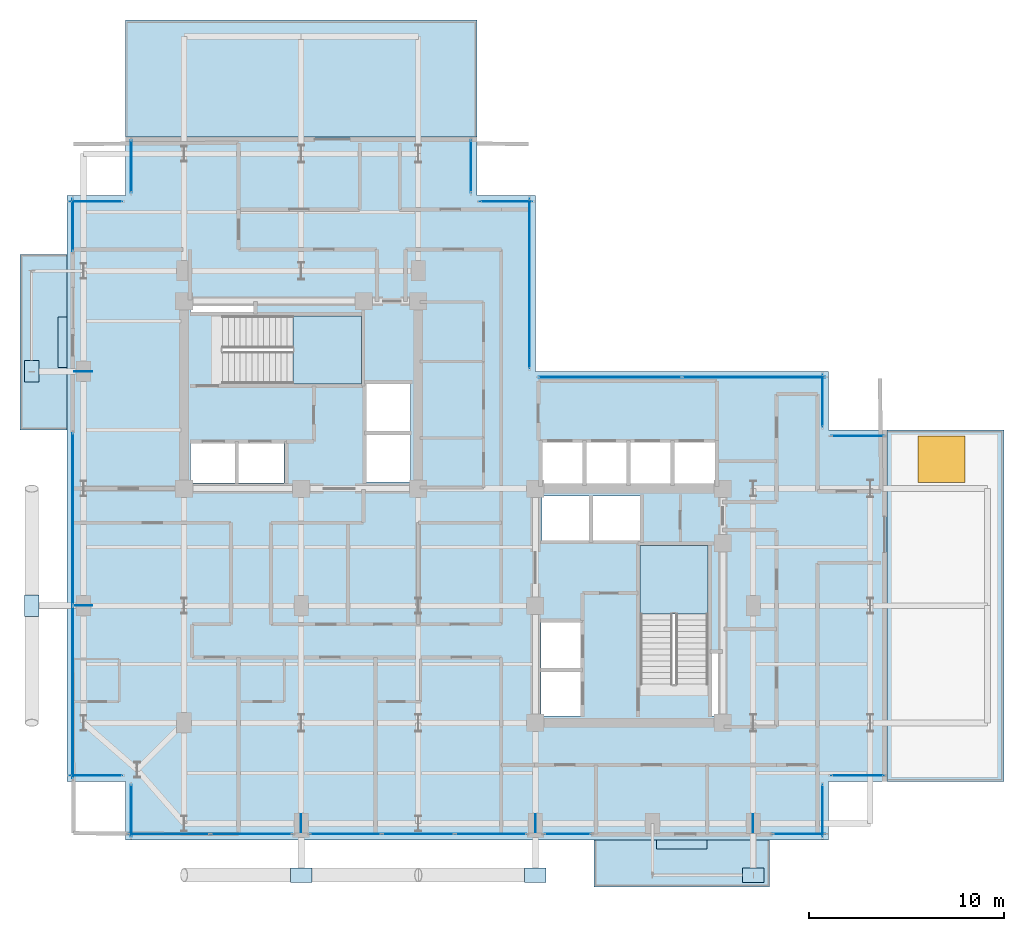
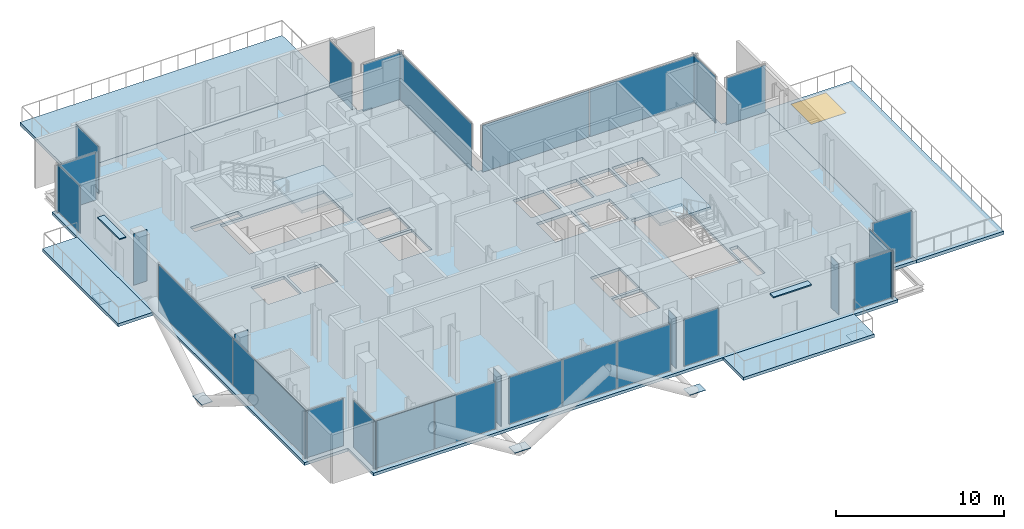
# One storey, part 17 of 28: 35 plates, 7 slabs, 1 window, 1 opening, 20 elements without a shape of their own.
"""IFC4 building model written with IfcOpenShell, lengths in metres."""

from ifc_helpers import new_model, si_unit, direction, frame, origin, origin_2d, place, context, subcontext, project, spatial, polyline, rectangle, outline, extrude, material, layer, layer_set, type_object, element, fill, aggregate, save


model = new_model("IFC4")

# Units and contexts
model_context = context("Model", 3, precision=1e-05, world=origin(), true_north=direction((0.0, 1.0)))
body_context = subcontext(model_context, "Body", "Model", "MODEL_VIEW")
ifc_project = project(units=[si_unit("LENGTHUNIT", "METRE"), si_unit("AREAUNIT", "SQUARE_METRE"), si_unit("VOLUMEUNIT", "CUBIC_METRE"), si_unit("PLANEANGLEUNIT", "RADIAN"), si_unit("MASSUNIT", "GRAM", prefix="KILO"), si_unit("THERMODYNAMICTEMPERATUREUNIT", "KELVIN"), si_unit("POWERUNIT", "WATT")], contexts=[model_context])

# Site, building, storey
site_placement = place(None, origin())
site = spatial("IfcSite", under=ifc_project, at=site_placement, CompositionType="ELEMENT")
building_placement = place(site_placement, origin())
building = spatial("IfcBuilding", under=site, at=building_placement, Name="Svarakhadi Broadcast Tower", CompositionType="ELEMENT")
storey_placement = place(building_placement, frame((0.0, 0.0, 169.199951171875)))
storey = spatial("IfcBuildingStorey", under=building, at=storey_placement, Name="L41", CompositionType="ELEMENT", Elevation=169.199951171875)

# Curtain wall, plate
ifc_material_1 = material(Name="Anodised Bronze Aluminium AA 6063-T6", Category="aluminium")
ifc_layer_1 = layer(ifc_material_1, 0.18994140625)
ifc_layer_set_1 = layer_set([ifc_layer_1], Name="Anodised Bronze Aluminium AA 6063-T6")
curtain_wall_type = type_object("IfcCurtainWallType", Name="CW_Sys_04", PredefinedType="NOTDEFINED", material=ifc_layer_set_1)
curtain_wall_1_placement = place(storey_placement, origin())
curtain_wall_1 = element("IfcCurtainWall", 1, at=curtain_wall_1_placement, inside=storey, type_object=curtain_wall_type, Name="L41 Unitised Facade Curtain Wall 01", PredefinedType="NOTDEFINED")
ifc_material_2 = material(Name="Double Low-E Laminated Acoustic Glass IGU 36 mm", Category="glass")
ifc_layer_2 = layer(ifc_material_2, 0.033935546875)
ifc_layer_set_2 = layer_set([ifc_layer_2], Name="Double Low-E Laminated Acoustic Glass IGU 36 mm")
plate_type_1 = type_object("IfcPlateType", Name="CW_Sys_04_Pnl", PredefinedType="CURTAIN_PANEL", material=ifc_layer_set_2)
plate_1_placement = place(storey_placement, frame((1.5, 3.300048828125, 0.06494140625), z_axis=(0.0, 0.0, 1.0), x_axis=(-1.0, 0.0, 0.0)))
plate_1 = element("IfcPlate", 2, at=plate_1_placement, type_object=plate_type_1, Name="CW-04 panel 1.1", PredefinedType="CURTAIN_PANEL", context=body_context, shape_type="SweptSolid", body=[
    extrude(rectangle(XDim=2.679931640625, YDim=0.033935546875, at=origin_2d()), origin(), (0.0, 0.0, 1.0), 3.409912109375),
])
aggregate(curtain_wall_1, [plate_1])

# Curtain wall, plates
curtain_wall_2_placement = place(storey_placement, origin())
curtain_wall_2 = element("IfcCurtainWall", 3, at=curtain_wall_2_placement, inside=storey, type_object=curtain_wall_type, Name="L41 West Curtain Wall 02", PredefinedType="NOTDEFINED")
plate_2_placement = place(storey_placement, frame((0.300048828125, 7.5625, 0.06494140625), z_axis=(0.0, 0.0, 1.0), x_axis=(0.0, 1.0, 0.0)))
plate_2 = element("IfcPlate", 4, at=plate_2_placement, type_object=plate_type_1, Name="CW-04 panel 1.1", PredefinedType="CURTAIN_PANEL", context=body_context, shape_type="SweptSolid", body=[
    extrude(rectangle(XDim=8.804931640625, YDim=0.033935546875, at=origin_2d()), origin(), (0.0, 0.0, 1.0), 3.409912109375),
])
plate_3_placement = place(storey_placement, frame((0.300048828125, 16.4375, 0.06494140625), z_axis=(0.0, 0.0, 1.0), x_axis=(0.0, 1.0, 0.0)))
plate_3 = element("IfcPlate", 5, at=plate_3_placement, type_object=plate_type_1, Name="CW-04 panel 2.1", PredefinedType="CURTAIN_PANEL", context=body_context, shape_type="SweptSolid", body=[
    extrude(rectangle(XDim=8.804931640625, YDim=0.033935546875, at=origin_2d()), origin(), (0.0, 0.0, 1.0), 3.409912109375),
])
aggregate(curtain_wall_2, [plate_2, plate_3])

# Curtain wall, plate
curtain_wall_3_placement = place(storey_placement, origin())
curtain_wall_3 = element("IfcCurtainWall", 6, at=curtain_wall_3_placement, inside=storey, type_object=curtain_wall_type, Name="L41 West Curtain Wall 03", PredefinedType="NOTDEFINED")
plate_4_placement = place(storey_placement, frame((0.300048828125, 31.5, 0.06494140625), z_axis=(0.0, 0.0, 1.0), x_axis=(0.0, 1.0, 0.0)))
plate_4 = element("IfcPlate", 7, at=plate_4_placement, type_object=plate_type_1, Name="CW-04 panel 1.1", PredefinedType="CURTAIN_PANEL", context=body_context, shape_type="SweptSolid", body=[
    extrude(rectangle(XDim=2.679931640625, YDim=0.033935546875, at=origin_2d()), origin(), (0.0, 0.0, 1.0), 3.409912109375),
])
aggregate(curtain_wall_3, [plate_4])

curtain_wall_4_placement = place(storey_placement, origin())
curtain_wall_4 = element("IfcCurtainWall", 8, at=curtain_wall_4_placement, inside=storey, type_object=curtain_wall_type, Name="L41 Unitised Facade Curtain Wall 04", PredefinedType="NOTDEFINED")
plate_5_placement = place(storey_placement, frame((1.5, 32.699951171875, 0.06494140625), z_axis=(0.0, 0.0, 1.0), x_axis=(1.0, 0.0, 0.0)))
plate_5 = element("IfcPlate", 9, at=plate_5_placement, type_object=plate_type_1, Name="CW-04 panel 1.1", PredefinedType="CURTAIN_PANEL", context=body_context, shape_type="SweptSolid", body=[
    extrude(rectangle(XDim=2.679931640625, YDim=0.033935546875, at=origin_2d()), origin(), (0.0, 0.0, 1.0), 3.409912109375),
])
aggregate(curtain_wall_4, [plate_5])

curtain_wall_5_placement = place(storey_placement, origin())
curtain_wall_5 = element("IfcCurtainWall", 10, at=curtain_wall_5_placement, inside=storey, type_object=curtain_wall_type, Name="L41 Unitised Facade Curtain Wall 05", PredefinedType="NOTDEFINED")
plate_6_placement = place(storey_placement, frame((3.300048828125, 34.5, 0.06494140625), z_axis=(0.0, 0.0, 1.0), x_axis=(0.0, 1.0, 0.0)))
plate_6 = element("IfcPlate", 11, at=plate_6_placement, type_object=plate_type_1, Name="CW-04 panel 1.1", PredefinedType="CURTAIN_PANEL", context=body_context, shape_type="SweptSolid", body=[
    extrude(rectangle(XDim=2.679931640625, YDim=0.033935546875, at=origin_2d()), origin(), (0.0, 0.0, 1.0), 3.409912109375),
])
aggregate(curtain_wall_5, [plate_6])

curtain_wall_6_placement = place(storey_placement, origin())
curtain_wall_6 = element("IfcCurtainWall", 12, at=curtain_wall_6_placement, inside=storey, type_object=curtain_wall_type, Name="L41 Unitised Facade Curtain Wall 06", PredefinedType="NOTDEFINED")
plate_7_placement = place(storey_placement, frame((20.699951171875, 34.5, 0.06494140625), z_axis=(0.0, 0.0, 1.0), x_axis=(0.0, -1.0, 0.0)))
plate_7 = element("IfcPlate", 13, at=plate_7_placement, type_object=plate_type_1, Name="CW-04 panel 1.1", PredefinedType="CURTAIN_PANEL", context=body_context, shape_type="SweptSolid", body=[
    extrude(rectangle(XDim=2.679931640625, YDim=0.033935546875, at=origin_2d()), origin(), (0.0, 0.0, 1.0), 3.409912109375),
])
aggregate(curtain_wall_6, [plate_7])

curtain_wall_7_placement = place(storey_placement, origin())
curtain_wall_7 = element("IfcCurtainWall", 14, at=curtain_wall_7_placement, inside=storey, type_object=curtain_wall_type, Name="L41 Unitised Facade Curtain Wall 07", PredefinedType="NOTDEFINED")
plate_8_placement = place(storey_placement, frame((22.5, 32.699951171875, 0.06494140625), z_axis=(0.0, 0.0, 1.0), x_axis=(1.0, 0.0, 0.0)))
plate_8 = element("IfcPlate", 15, at=plate_8_placement, type_object=plate_type_1, Name="CW-04 panel 1.1", PredefinedType="CURTAIN_PANEL", context=body_context, shape_type="SweptSolid", body=[
    extrude(rectangle(XDim=2.679931640625, YDim=0.033935546875, at=origin_2d()), origin(), (0.0, 0.0, 1.0), 3.409912109375),
])
aggregate(curtain_wall_7, [plate_8])

curtain_wall_8_placement = place(storey_placement, origin())
curtain_wall_8 = element("IfcCurtainWall", 16, at=curtain_wall_8_placement, inside=storey, type_object=curtain_wall_type, Name="L41 Unitised Facade Curtain Wall 08", PredefinedType="NOTDEFINED")
plate_9_placement = place(storey_placement, frame((23.699951171875, 28.5, 0.06494140625), z_axis=(0.0, 0.0, 1.0), x_axis=(0.0, -1.0, 0.0)))
plate_9 = element("IfcPlate", 17, at=plate_9_placement, type_object=plate_type_1, Name="CW-04 panel 1.1", PredefinedType="CURTAIN_PANEL", context=body_context, shape_type="SweptSolid", body=[
    extrude(rectangle(XDim=8.679931640625, YDim=0.033935546875, at=origin_2d()), origin(), (0.0, 0.0, 1.0), 3.409912109375),
])
aggregate(curtain_wall_8, [plate_9])

# Curtain wall, plates
curtain_wall_9_placement = place(storey_placement, origin())
curtain_wall_9 = element("IfcCurtainWall", 18, at=curtain_wall_9_placement, inside=storey, type_object=curtain_wall_type, Name="L41 Unitised Facade Curtain Wall 09", PredefinedType="NOTDEFINED")
plate_10_placement = place(storey_placement, frame((27.8125, 23.699951171875, 0.06494140625), z_axis=(0.0, 0.0, 1.0), x_axis=(1.0, 0.0, 0.0)))
plate_10 = element("IfcPlate", 19, at=plate_10_placement, type_object=plate_type_1, Name="CW-04 panel 1.1", PredefinedType="CURTAIN_PANEL", context=body_context, shape_type="SweptSolid", body=[
    extrude(rectangle(XDim=7.304931640625, YDim=0.033935546875, at=origin_2d()), origin(), (0.0, 0.0, 1.0), 3.409912109375),
])
plate_11_placement = place(storey_placement, frame((35.1875, 23.699951171875, 0.06494140625), z_axis=(0.0, 0.0, 1.0), x_axis=(1.0, 0.0, 0.0)))
plate_11 = element("IfcPlate", 20, at=plate_11_placement, type_object=plate_type_1, Name="CW-04 panel 2.1", PredefinedType="CURTAIN_PANEL", context=body_context, shape_type="SweptSolid", body=[
    extrude(rectangle(XDim=7.304931640625, YDim=0.033935546875, at=origin_2d()), origin(), (0.0, 0.0, 1.0), 3.409912109375),
])
aggregate(curtain_wall_9, [plate_10, plate_11])

# Curtain wall, plate
curtain_wall_10_placement = place(storey_placement, origin())
curtain_wall_10 = element("IfcCurtainWall", 21, at=curtain_wall_10_placement, inside=storey, type_object=curtain_wall_type, Name="L41 Unitised Facade Curtain Wall 10", PredefinedType="NOTDEFINED")
plate_12_placement = place(storey_placement, frame((38.699951171875, 22.5, 0.06494140625), z_axis=(0.0, 0.0, 1.0), x_axis=(0.0, -1.0, 0.0)))
plate_12 = element("IfcPlate", 22, at=plate_12_placement, type_object=plate_type_1, Name="CW-04 panel 1.1", PredefinedType="CURTAIN_PANEL", context=body_context, shape_type="SweptSolid", body=[
    extrude(rectangle(XDim=2.679931640625, YDim=0.033935546875, at=origin_2d()), origin(), (0.0, 0.0, 1.0), 3.409912109375),
])
aggregate(curtain_wall_10, [plate_12])

curtain_wall_11_placement = place(storey_placement, origin())
curtain_wall_11 = element("IfcCurtainWall", 23, at=curtain_wall_11_placement, inside=storey, type_object=curtain_wall_type, Name="L41 Unitised Facade Curtain Wall 11", PredefinedType="NOTDEFINED")
plate_13_placement = place(storey_placement, frame((40.5, 20.699951171875, 0.06494140625), z_axis=(0.0, 0.0, 1.0), x_axis=(1.0, 0.0, 0.0)))
plate_13 = element("IfcPlate", 24, at=plate_13_placement, type_object=plate_type_1, Name="CW-04 panel 1.1", PredefinedType="CURTAIN_PANEL", context=body_context, shape_type="SweptSolid", body=[
    extrude(rectangle(XDim=2.679931640625, YDim=0.033935546875, at=origin_2d()), origin(), (0.0, 0.0, 1.0), 3.409912109375),
])
aggregate(curtain_wall_11, [plate_13])

curtain_wall_12_placement = place(storey_placement, origin())
curtain_wall_12 = element("IfcCurtainWall", 25, at=curtain_wall_12_placement, inside=storey, type_object=curtain_wall_type, Name="L41 Unitised Facade Curtain Wall 12", PredefinedType="NOTDEFINED")
plate_14_placement = place(storey_placement, frame((40.5, 3.300048828125, 0.06494140625), z_axis=(0.0, 0.0, 1.0), x_axis=(-1.0, 0.0, 0.0)))
plate_14 = element("IfcPlate", 26, at=plate_14_placement, type_object=plate_type_1, Name="CW-04 panel 1.1", PredefinedType="CURTAIN_PANEL", context=body_context, shape_type="SweptSolid", body=[
    extrude(rectangle(XDim=2.679931640625, YDim=0.033935546875, at=origin_2d()), origin(), (0.0, 0.0, 1.0), 3.409912109375),
])
aggregate(curtain_wall_12, [plate_14])

curtain_wall_13_placement = place(storey_placement, origin())
curtain_wall_13 = element("IfcCurtainWall", 27, at=curtain_wall_13_placement, inside=storey, type_object=curtain_wall_type, Name="L41 Unitised Facade Curtain Wall 13", PredefinedType="NOTDEFINED")
plate_15_placement = place(storey_placement, frame((38.699951171875, 1.5, 0.06494140625), z_axis=(0.0, 0.0, 1.0), x_axis=(0.0, -1.0, 0.0)))
plate_15 = element("IfcPlate", 28, at=plate_15_placement, type_object=plate_type_1, Name="CW-04 panel 1.1", PredefinedType="CURTAIN_PANEL", context=body_context, shape_type="SweptSolid", body=[
    extrude(rectangle(XDim=2.679931640625, YDim=0.033935546875, at=origin_2d()), origin(), (0.0, 0.0, 1.0), 3.409912109375),
])
aggregate(curtain_wall_13, [plate_15])

curtain_wall_14_placement = place(storey_placement, origin())
curtain_wall_14 = element("IfcCurtainWall", 29, at=curtain_wall_14_placement, inside=storey, type_object=curtain_wall_type, Name="L41 South Curtain Wall 14", PredefinedType="NOTDEFINED")
plate_16_placement = place(storey_placement, frame((37.5, 0.300048828125, 0.06494140625), z_axis=(0.0, 0.0, 1.0), x_axis=(-1.0, 0.0, 0.0)))
plate_16 = element("IfcPlate", 30, at=plate_16_placement, type_object=plate_type_1, Name="CW-04 panel 1.1", PredefinedType="CURTAIN_PANEL", context=body_context, shape_type="SweptSolid", body=[
    extrude(rectangle(XDim=2.679931640625, YDim=0.033935546875, at=origin_2d()), origin(), (0.0, 0.0, 1.0), 3.409912109375),
])
aggregate(curtain_wall_14, [plate_16])

curtain_wall_15_placement = place(storey_placement, origin())
curtain_wall_15 = element("IfcCurtainWall", 31, at=curtain_wall_15_placement, inside=storey, type_object=curtain_wall_type, Name="L41 South Curtain Wall 15 Bay 1", PredefinedType="NOTDEFINED")
plate_17_placement = place(storey_placement, frame((25.652587890625, 0.300048828125, 0.06494140625), z_axis=(0.0, 0.0, 1.0), x_axis=(-1.0, 0.0, 0.0)))
plate_17 = element("IfcPlate", 32, at=plate_17_placement, type_object=plate_type_1, Name="CW-04 panel 1.1", PredefinedType="CURTAIN_PANEL", context=body_context, shape_type="SweptSolid", body=[
    extrude(rectangle(XDim=2.375, YDim=0.033935546875, at=origin_2d()), origin(), (0.0, 0.0, 1.0), 3.409912109375),
])
aggregate(curtain_wall_15, [plate_17])

# Curtain wall, plates
curtain_wall_16_placement = place(storey_placement, origin())
curtain_wall_16 = element("IfcCurtainWall", 33, at=curtain_wall_16_placement, inside=storey, type_object=curtain_wall_type, Name="L41 South Curtain Wall 15 Bay 2", PredefinedType="NOTDEFINED")
plate_18_placement = place(storey_placement, frame((21.71923828125, 0.300048828125, 0.06494140625), z_axis=(0.0, 0.0, 1.0), x_axis=(-1.0, 0.0, 0.0)))
plate_18 = element("IfcPlate", 34, at=plate_18_placement, type_object=plate_type_1, Name="CW-04 panel 1.1", PredefinedType="CURTAIN_PANEL", context=body_context, shape_type="SweptSolid", body=[
    extrude(rectangle(XDim=3.631591796875, YDim=0.033935546875, at=origin_2d()), origin(), (0.0, 0.0, 1.0), 3.409912109375),
])
plate_19_placement = place(storey_placement, frame((18.0, 0.300048828125, 0.06494140625), z_axis=(0.0, 0.0, 1.0), x_axis=(-1.0, 0.0, 0.0)))
plate_19 = element("IfcPlate", 35, at=plate_19_placement, type_object=plate_type_1, Name="CW-04 panel 2.1", PredefinedType="CURTAIN_PANEL", context=body_context, shape_type="SweptSolid", body=[
    extrude(rectangle(XDim=3.666748046875, YDim=0.033935546875, at=origin_2d()), origin(), (0.0, 0.0, 1.0), 3.409912109375),
])
plate_20_placement = place(storey_placement, frame((14.28076171875, 0.300048828125, 0.06494140625), z_axis=(0.0, 0.0, 1.0), x_axis=(-1.0, 0.0, 0.0)))
plate_20 = element("IfcPlate", 36, at=plate_20_placement, type_object=plate_type_1, Name="CW-04 panel 3.1", PredefinedType="CURTAIN_PANEL", context=body_context, shape_type="SweptSolid", body=[
    extrude(rectangle(XDim=3.631591796875, YDim=0.033935546875, at=origin_2d()), origin(), (0.0, 0.0, 1.0), 3.409912109375),
])
aggregate(curtain_wall_16, [plate_18, plate_19, plate_20])

curtain_wall_17_placement = place(storey_placement, origin())
curtain_wall_17 = element("IfcCurtainWall", 37, at=curtain_wall_17_placement, inside=storey, type_object=curtain_wall_type, Name="L41 South Curtain Wall 15 Bay 3", PredefinedType="NOTDEFINED")
plate_21_placement = place(storey_placement, frame((9.458740234375, 0.300048828125, 0.06494140625), z_axis=(0.0, 0.0, 1.0), x_axis=(-1.0, 0.0, 0.0)))
plate_21 = element("IfcPlate", 38, at=plate_21_placement, type_object=plate_type_1, Name="CW-04 panel 1.1", PredefinedType="CURTAIN_PANEL", context=body_context, shape_type="SweptSolid", body=[
    extrude(rectangle(XDim=4.152587890625, YDim=0.033935546875, at=origin_2d()), origin(), (0.0, 0.0, 1.0), 3.409912109375),
])
plate_22_placement = place(storey_placement, frame((5.236328125, 0.300048828125, 0.06494140625), z_axis=(0.0, 0.0, 1.0), x_axis=(-1.0, 0.0, 0.0)))
plate_22 = element("IfcPlate", 39, at=plate_22_placement, type_object=plate_type_1, Name="CW-04 panel 2.1", PredefinedType="CURTAIN_PANEL", context=body_context, shape_type="SweptSolid", body=[
    extrude(rectangle(XDim=4.152587890625, YDim=0.033935546875, at=origin_2d()), origin(), (0.0, 0.0, 1.0), 3.409912109375),
])
aggregate(curtain_wall_17, [plate_21, plate_22])

# Curtain wall, plate
curtain_wall_18_placement = place(storey_placement, origin())
curtain_wall_18 = element("IfcCurtainWall", 40, at=curtain_wall_18_placement, inside=storey, type_object=curtain_wall_type, Name="L41 Unitised Facade Curtain Wall 16", PredefinedType="NOTDEFINED")
plate_23_placement = place(storey_placement, frame((3.300048828125, 1.5, 0.06494140625), z_axis=(0.0, 0.0, 1.0), x_axis=(0.0, 1.0, 0.0)))
plate_23 = element("IfcPlate", 41, at=plate_23_placement, type_object=plate_type_1, Name="CW-04 panel 1.1", PredefinedType="CURTAIN_PANEL", context=body_context, shape_type="SweptSolid", body=[
    extrude(rectangle(XDim=2.679931640625, YDim=0.033935546875, at=origin_2d()), origin(), (0.0, 0.0, 1.0), 3.409912109375),
])
aggregate(curtain_wall_18, [plate_23])

# Plates
ifc_material_3 = material(Name="Steel S460ML (IS 2062 E450BR)", Category="steel")
ifc_layer_3 = layer(ifc_material_3, 0.033935546875)
ifc_layer_set_3 = layer_set([ifc_layer_3], Name="Steel S460ML (IS 2062 E450BR)")
plate_type_2 = type_object("IfcPlateType", Name="Node_Gusset_N06", PredefinedType="SHEET", material=ifc_layer_set_3)
for number, where, z_axis, x_axis, name in (
    (42, (12.0, -1.800048828125, -0.2099609375), (0.0, 0.0, 1.0), (1.0, 0.0, 0.0), "L41 Exoskeleton Gusset Node Plate S01"),
    (43, (24.0, -1.800048828125, -0.2099609375), (0.0, 0.0, 1.0), (1.0, 0.0, 0.0), "L41 Exoskeleton Gusset Node Plate S02"),
    (44, (35.14990234375, -1.800048828125, -0.2099609375), (0.0, 0.0, 1.0), (1.0, 0.0, 0.0), "L41 Exoskeleton Gusset Node Plate S03"),
    (45, (-1.800048828125, 12.0, -0.2099609375), (0.0, 0.0, 1.0), (0.0, 1.0, 0.0), "L41 Exoskeleton Gusset Node Plate W04"),
    (46, (-1.800048828125, 24.0, -0.2099609375), (0.0, 0.0, 1.0), (0.0, 1.0, 0.0), "L41 Exoskeleton Gusset Node Plate W05"),
):
    element("IfcPlate", number, at=place(storey_placement, frame(where, z_axis=z_axis, x_axis=x_axis)), inside=storey, type_object=plate_type_2, Name=name, PredefinedType="SHEET", context=body_context, shape_type="SweptSolid", body=[
        extrude(rectangle(XDim=1.10009765625, YDim=0.75, at=origin_2d()), origin(), (0.0, 0.0, 1.0), 0.033935546875),
    ])
ifc_layer_4 = layer(ifc_material_3, 0.02587890625)
ifc_layer_set_4 = layer_set([ifc_layer_4], Name="Steel S460ML (IS 2062 E450BR)")
plate_type_3 = type_object("IfcPlateType", Name="Node_Gusset_N07", PredefinedType="SHEET", material=ifc_layer_set_4)
for number, where, z_axis, x_axis, name in (
    (47, (12.0, 0.85009765625, -0.57177734375), (0.0, 0.0, 1.0), (0.0, 1.0, 0.0), "L41 Brace End Connection Gusset Plate N-07-E0343"),
    (48, (24.0, 0.85009765625, -0.57177734375), (0.0, 0.0, 1.0), (0.0, 1.0, 0.0), "L41 Brace End Connection Gusset Plate N-07-E0344"),
    (49, (35.14990234375, 0.85009765625, -0.57177734375), (0.0, 0.0, 1.0), (0.0, 1.0, 0.0), "L41 Brace End Connection Gusset Plate N-07-E0345"),
    (50, (0.85009765625, 12.0, -0.57177734375), (0.0, 0.0, 1.0), (1.0, 0.0, 0.0), "L41 Brace End Connection Gusset Plate N-07-E0346"),
    (51, (0.85009765625, 24.0, -0.57177734375), (0.0, 0.0, 1.0), (1.0, 0.0, 0.0), "L41 Brace End Connection Gusset Plate N-07-E0347"),
):
    element("IfcPlate", number, at=place(storey_placement, frame(where, z_axis=z_axis, x_axis=x_axis)), inside=storey, type_object=plate_type_3, Name=name, PredefinedType="SHEET", context=body_context, shape_type="SweptSolid", body=[
        extrude(rectangle(XDim=0.919921875, YDim=0.02587890625, at=origin_2d()), origin(), (0.0, 0.0, 1.0), 4.300048828125),
    ])

# Slab
ifc_material_4 = material(Name="Concrete C40/50 (IS 456 M50)", Category="concrete")
ifc_layer_5 = layer(ifc_material_4, 0.2099609375)
ifc_layer_set_5 = layer_set([ifc_layer_5], Name="Concrete C40/50 (IS 456 M50)")
slab_type_1 = type_object("IfcSlabType", Name="Slab_Floor_210", PredefinedType="FLOOR", material=ifc_layer_set_5)
slab_1_placement = place(storey_placement, frame((0.0, 0.0, -0.2099609375)))
element("IfcSlab", 52, at=slab_1_placement, inside=storey, type_object=slab_type_1, Name="L41 Structural Floor Slab", PredefinedType="FLOOR", context=body_context, shape_type="SweptSolid", body=[
    extrude(outline(polyline([(3.0, 0.0), (39.0, 0.0), (39.0, 3.0), (42.0, 3.0), (42.0, 21.0), (39.0, 21.0), (39.0, 24.0), (24.0, 24.0), (24.0, 33.0), (21.0, 33.0), (21.0, 36.0), (3.0, 36.0), (3.0, 33.0), (0.0, 33.0), (0.0, 3.0), (3.0, 3.0), (3.0, 0.0)]), holes=[polyline([(7.97998046875, 23.360107421875), (15.080078125, 23.360107421875), (15.080078125, 26.840087890625), (7.97998046875, 26.840087890625), (7.97998046875, 23.360107421875)]), polyline([(32.840087890625, 7.97998046875), (32.840087890625, 15.080078125), (29.360107421875, 15.080078125), (29.360107421875, 7.97998046875), (32.840087890625, 7.97998046875)]), polyline([(6.340087890625, 18.2900390625), (8.610107421875, 18.2900390625), (8.610107421875, 20.330078125), (6.340087890625, 20.330078125), (6.340087890625, 18.2900390625)]), polyline([(8.7900390625, 18.2900390625), (11.1298828125, 18.2900390625), (11.1298828125, 20.330078125), (8.7900390625, 20.330078125), (8.7900390625, 18.2900390625)]), polyline([(24.2900390625, 6.340087890625), (26.330078125, 6.340087890625), (26.330078125, 8.610107421875), (24.2900390625, 8.610107421875), (24.2900390625, 6.340087890625)]), polyline([(24.2900390625, 8.7900390625), (26.330078125, 8.7900390625), (26.330078125, 11.1298828125), (24.2900390625, 11.1298828125), (24.2900390625, 8.7900390625)]), polyline([(6.340087890625, 26.989990234375), (9.610107421875, 26.989990234375), (9.610107421875, 27.530029296875), (6.340087890625, 27.530029296875), (6.340087890625, 26.989990234375)]), polyline([(32.989990234375, 6.340087890625), (33.530029296875, 6.340087890625), (33.530029296875, 9.610107421875), (32.989990234375, 9.610107421875), (32.989990234375, 6.340087890625)]), polyline([(15.340087890625, 18.340087890625), (17.610107421875, 18.340087890625), (17.610107421875, 20.760009765625), (15.340087890625, 20.760009765625), (15.340087890625, 18.340087890625)]), polyline([(15.340087890625, 20.93994140625), (17.610107421875, 20.93994140625), (17.610107421875, 23.360107421875), (15.340087890625, 23.360107421875), (15.340087890625, 20.93994140625)]), polyline([(24.340087890625, 15.340087890625), (26.760009765625, 15.340087890625), (26.760009765625, 17.610107421875), (24.340087890625, 17.610107421875), (24.340087890625, 15.340087890625)]), polyline([(26.93994140625, 15.340087890625), (29.360107421875, 15.340087890625), (29.360107421875, 17.610107421875), (26.93994140625, 17.610107421875), (26.93994140625, 15.340087890625)]), polyline([(24.340087890625, 18.239990234375), (26.429931640625, 18.239990234375), (26.429931640625, 20.360107421875), (24.340087890625, 20.360107421875), (24.340087890625, 18.239990234375)]), polyline([(26.610107421875, 18.239990234375), (28.679931640625, 18.239990234375), (28.679931640625, 20.360107421875), (26.610107421875, 20.360107421875), (26.610107421875, 18.239990234375)]), polyline([(28.860107421875, 18.239990234375), (30.929931640625, 18.239990234375), (30.929931640625, 20.360107421875), (28.860107421875, 20.360107421875), (28.860107421875, 18.239990234375)]), polyline([(31.110107421875, 18.239990234375), (33.2099609375, 18.239990234375), (33.2099609375, 20.360107421875), (31.110107421875, 20.360107421875), (31.110107421875, 18.239990234375)])]), origin(), (0.0, 0.0, 1.0), 0.2099609375),
])

# Slab, opening, window
ifc_layer_6 = layer(ifc_material_4, 0.239990234375)
ifc_layer_set_6 = layer_set([ifc_layer_6], Name="Concrete C40/50 (IS 456 M50)")
slab_type_2 = type_object("IfcSlabType", Name="Slab_SetbackTerr", PredefinedType="ROOF", material=ifc_layer_set_6)
slab_2_placement = place(storey_placement, frame((0.0, 0.0, -0.239990234375)))
slab_2 = element("IfcSlab", 53, at=slab_2_placement, inside=storey, type_object=slab_type_2, Name="L41 East Wing Setback Sky Garden Terrace Slab", PredefinedType="ROOF", context=body_context, shape_type="SweptSolid", body=[
    extrude(outline(polyline([(42.0, 3.0), (48.0, 3.0), (48.0, 21.0), (42.0, 21.0), (42.0, 3.0)])), origin(), (0.0, 0.0, 1.0), 0.239990234375),
])
opening_placement = place(slab_2_placement, frame((44.800048828125, 19.5, -0.010009765625)))
opening = element("IfcOpeningElement", 54, at=opening_placement, cuts=slab_2, Name="Opening SK-02", PredefinedType="OPENING", context=body_context, shape_type="SweptSolid", body=[
    extrude(rectangle(XDim=2.39990234375, YDim=2.39990234375, at=origin_2d()), origin(), (0.0, 0.0, 1.0), 0.260009765625),
])
window_type = type_object("IfcWindowType", Name="Sky_Terr_SK02", PartitioningType="SINGLE_PANEL", PredefinedType="SKYLIGHT", material=ifc_material_2)
window_placement = place(slab_2_placement, frame((44.800048828125, 19.5, 0.18994140625)))
window = element("IfcWindow", 55, at=window_placement, inside=storey, type_object=window_type, Name="L41 Setback Sky Garden Skylight SK-02", OverallHeight=2.39990234375, OverallWidth=2.39990234375, PartitioningType="SINGLE_PANEL", PredefinedType="SKYLIGHT", context=body_context, shape_type="SweptSolid", body=[
    extrude(rectangle(XDim=2.39990234375, YDim=2.39990234375, at=origin_2d()), origin(), (0.0, 0.0, 1.0), 0.050048828125),
])
fill(opening, window)

# Slab
slab_3_placement = place(storey_placement, frame((0.0, 0.0, -0.239990234375)))
element("IfcSlab", 56, at=slab_3_placement, inside=storey, type_object=slab_type_2, Name="L41 North Wing Setback Sky Garden Terrace Slab", PredefinedType="ROOF", context=body_context, shape_type="SweptSolid", body=[
    extrude(outline(polyline([(3.0, 36.0), (21.0, 36.0), (21.0, 42.0), (3.0, 42.0), (3.0, 36.0)])), origin(), (0.0, 0.0, 1.0), 0.239990234375),
])

# Stair, slab
stair_type = type_object("IfcStairType", Name="Stair_Exit_Core", PredefinedType="HALF_TURN_STAIR", material=ifc_material_4)
stair_1_placement = place(storey_placement, origin())
stair_1 = element("IfcStair", 57, at=stair_1_placement, inside=storey, type_object=stair_type, Name="L41 West Core Protected Exit Stair ST-01", PredefinedType="HALF_TURN_STAIR")
ifc_layer_7 = layer(ifc_material_4, 0.199951171875)
ifc_layer_set_7 = layer_set([ifc_layer_7], Name="Concrete C40/50 (IS 456 M50)")
slab_type_3 = type_object("IfcSlabType", Name="Slab_Stair_Land", PredefinedType="LANDING", material=ifc_layer_set_7)
slab_4_placement = place(storey_placement, frame((0.0, 0.0, 1.675048828125)))
slab_4 = element("IfcSlab", 58, at=slab_4_placement, type_object=slab_type_3, Name="ST-01 landing 1", PredefinedType="LANDING", context=body_context, shape_type="SweptSolid", body=[
    extrude(outline(polyline([(11.580078125, 23.360107421875), (15.080078125, 23.360107421875), (15.080078125, 26.840087890625), (11.580078125, 26.840087890625), (11.580078125, 23.360107421875)])), origin(), (0.0, 0.0, 1.0), 0.199951171875),
])
aggregate(stair_1, [slab_4])

stair_2_placement = place(storey_placement, origin())
stair_2 = element("IfcStair", 59, at=stair_2_placement, inside=storey, type_object=stair_type, Name="L41 East Core Protected Exit Stair ST-02", PredefinedType="HALF_TURN_STAIR")
slab_5_placement = place(storey_placement, frame((0.0, 0.0, 1.675048828125)))
slab_5 = element("IfcSlab", 60, at=slab_5_placement, type_object=slab_type_3, Name="ST-02 landing 1", PredefinedType="LANDING", context=body_context, shape_type="SweptSolid", body=[
    extrude(outline(polyline([(32.840087890625, 11.580078125), (32.840087890625, 15.080078125), (29.360107421875, 15.080078125), (29.360107421875, 11.580078125), (32.840087890625, 11.580078125)])), origin(), (0.0, 0.0, 1.0), 0.199951171875),
])
aggregate(stair_2, [slab_5])

# Slabs
ifc_layer_8 = layer(ifc_material_4, 0.22509765625)
ifc_layer_set_8 = layer_set([ifc_layer_8], Name="Concrete C40/50 (IS 456 M50)")
slab_type_4 = type_object("IfcSlabType", Name="Slab_TreeBalcony", PredefinedType="FLOOR", material=ifc_layer_set_8)
slab_6_placement = place(storey_placement, frame((0.0, 0.0, -0.224853515625)))
element("IfcSlab", 61, at=slab_6_placement, inside=storey, type_object=slab_type_4, Name="L41 Planted Tree Balcony Slab BAL-E", PredefinedType="FLOOR", context=body_context, shape_type="SweptSolid", body=[
    extrude(outline(polyline([(27.0, -2.39990234375), (36.0, -2.39990234375), (36.0, 0.0), (27.0, 0.0), (27.0, -2.39990234375)])), origin(), (0.0, 0.0, 1.0), 0.224853515625),
])
slab_7_placement = place(storey_placement, frame((0.0, 0.0, -0.224853515625)))
element("IfcSlab", 62, at=slab_7_placement, inside=storey, type_object=slab_type_4, Name="L41 Planted Tree Balcony Slab BAL-N", PredefinedType="FLOOR", context=body_context, shape_type="SweptSolid", body=[
    extrude(outline(polyline([(-2.39990234375, 21.0), (0.0, 21.0), (0.0, 30.0), (-2.39990234375, 30.0), (-2.39990234375, 21.0)])), origin(), (0.0, 0.0, 1.0), 0.224853515625),
])

# Plates
ifc_layer_9 = layer(ifc_material_1, 0.080078125)
ifc_layer_set_9 = layer_set([ifc_layer_9], Name="Anodised Bronze Aluminium AA 6063-T6")
plate_type_4 = type_object("IfcPlateType", Name="Sunshade_Fin_SS01", PredefinedType="USERDEFINED", material=ifc_layer_set_9)
for number, where, z_axis, x_axis, name in (
    (63, (31.5, -0.22509765625, 3.4599609375), (0.0, 0.0, 1.0), (1.0, 0.0, 0.0), "L41 South Bronze Brise-Soleil Sunshade SS-01"),
    (64, (-0.22509765625, 25.5, 3.4599609375), (0.0, 0.0, 1.0), (0.0, 1.0, 0.0), "L41 West Bronze Brise-Soleil Sunshade SS-01"),
):
    element("IfcPlate", number, at=place(storey_placement, frame(where, z_axis=z_axis, x_axis=x_axis)), inside=storey, type_object=plate_type_4, Name=name, ObjectType="SUNSHADE", PredefinedType="USERDEFINED", context=body_context, shape_type="SweptSolid", body=[
        extrude(rectangle(XDim=2.60009765625, YDim=0.449951171875, at=origin_2d()), origin(), (0.0, 0.0, 1.0), 0.080078125),
    ])

save(model, "model.ifc")
